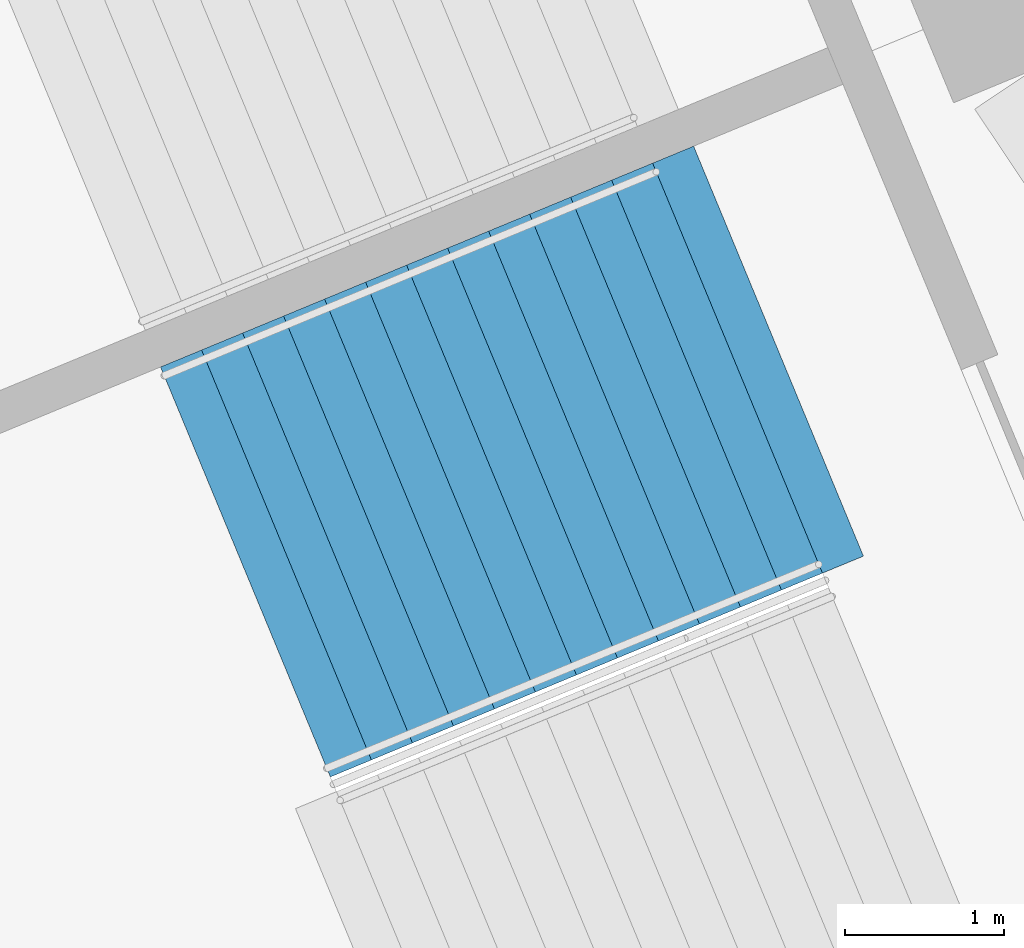
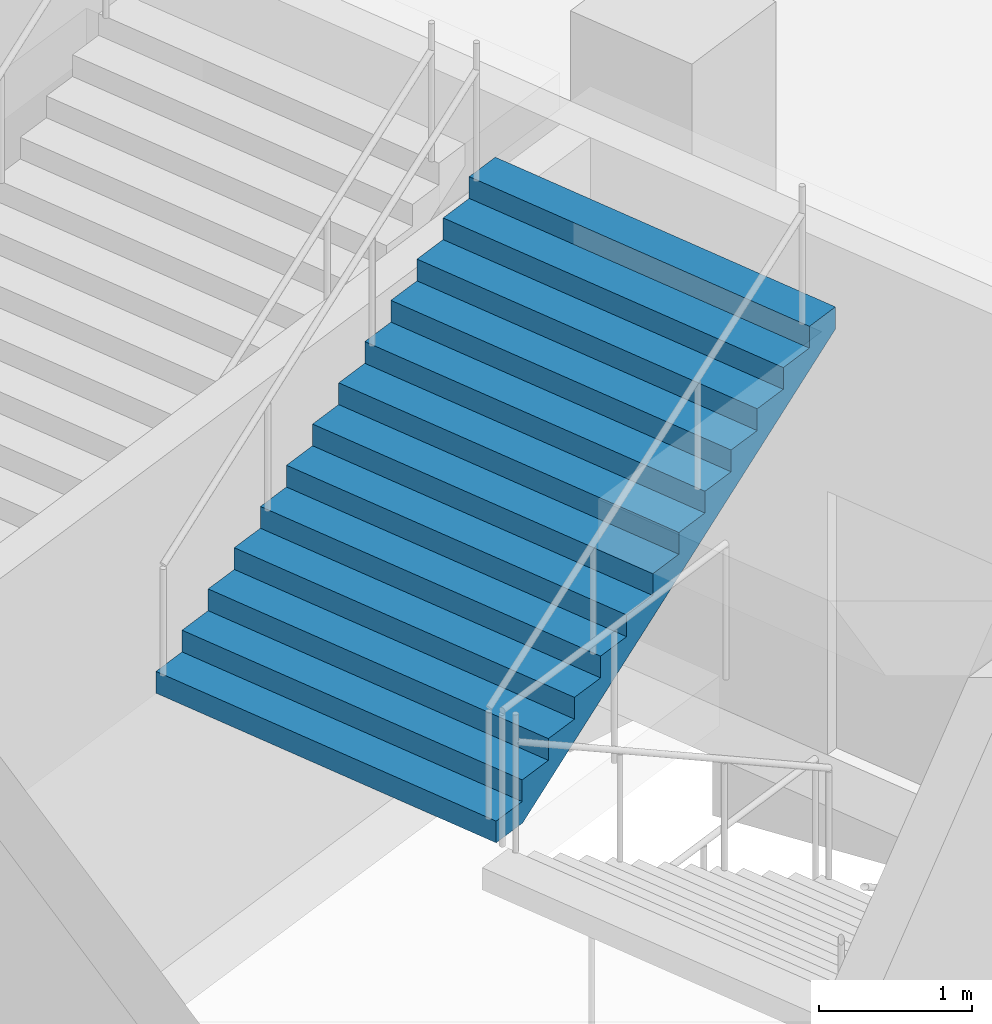
# One storey, part 114 of 199: 1 stair flight, 1 element without a shape of its own.
"""IFC4 building model written with IfcOpenShell, lengths in metres."""

from ifc_helpers import new_model, si_unit, direction, frame, origin, place, context, subcontext, project, spatial, faceted_brep, material, type_object, element, aggregate, save


model = new_model("IFC4")

# Units and contexts
model_context = context("Model", 3, precision=1e-05, world=origin(), true_north=direction((0.0, 1.0)))
body_context = subcontext(model_context, "Body", "Model", "MODEL_VIEW")
ifc_project = project(units=[si_unit("LENGTHUNIT", "METRE"), si_unit("AREAUNIT", "SQUARE_METRE"), si_unit("VOLUMEUNIT", "CUBIC_METRE"), si_unit("PLANEANGLEUNIT", "RADIAN"), si_unit("MASSUNIT", "GRAM", prefix="KILO")], contexts=[model_context])

# Site, building, storey
site_placement = place(None, origin())
site = spatial("IfcSite", under=ifc_project, at=site_placement, CompositionType="ELEMENT")
building_placement = place(site_placement, origin())
building = spatial("IfcBuilding", under=site, at=building_placement, Name="Ogive Plaza Stadium", CompositionType="ELEMENT")
storey_placement = place(building_placement, frame((0.0, 0.0, 4.5)))
storey = spatial("IfcBuildingStorey", under=building, at=storey_placement, Name="L01", CompositionType="ELEMENT", Elevation=4.5)

# Stair, stair flight
ifc_material_1 = material(Name="Concrete C40/50", Category="concrete")
stair_type = type_object("IfcStairType", Name="Exit stair", PredefinedType="STRAIGHT_RUN_STAIR", material=ifc_material_1)
stair_placement = place(storey_placement, origin())
stair = element("IfcStair", 1, at=stair_placement, inside=storey, type_object=stair_type, Name="Exit stair ST20B L01 to L02", PredefinedType="STRAIGHT_RUN_STAIR")
ifc_material_2 = material(Name="Concrete C40/50", Category="concrete")
stair_flight_type = type_object("IfcStairFlightType", Name="Exit stair flight", PredefinedType="STRAIGHT", material=ifc_material_2)
stair_flight_placement = place(storey_placement, frame((-75.64697265625, -71.4013671875, 2.25), z_axis=(0.0, 0.0, 1.0), x_axis=(0.923879532511, 0.382683432365, 0.0)))
stair_flight = element("IfcStairFlight", 2, at=stair_flight_placement, type_object=stair_flight_type, Name="ST20B flight 2", NumberOfRisers=13, NumberOfTreads=12, PredefinedType="STRAIGHT", RiserHeight=0.173076923, TreadLength=0.28, context=body_context, shape_type="Brep", body=[
    faceted_brep([(0.28515625, -1.39990234375, 0.0), (3.639892578125, -1.39990234375, 2.07373046875), (3.639892578125, -1.39990234375, 2.25), (3.360107421875, -1.39990234375, 2.25), (3.360107421875, -1.39990234375, 2.076904296875), (3.080078125, -1.39990234375, 2.076904296875), (3.080078125, -1.39990234375, 1.90380859375), (2.800048828125, -1.39990234375, 1.90380859375), (2.800048828125, -1.39990234375, 1.730712890625), (2.52001953125, -1.39990234375, 1.730712890625), (2.52001953125, -1.39990234375, 1.5576171875), (2.239990234375, -1.39990234375, 1.5576171875), (2.239990234375, -1.39990234375, 1.384521484375), (1.9599609375, -1.39990234375, 1.384521484375), (1.9599609375, -1.39990234375, 1.21142578125), (1.679931640625, -1.39990234375, 1.21142578125), (1.679931640625, -1.39990234375, 1.03857421875), (1.39990234375, -1.39990234375, 1.03857421875), (1.39990234375, -1.39990234375, 0.865478515625), (1.1201171875, -1.39990234375, 0.865478515625), (1.1201171875, -1.39990234375, 0.6923828125), (0.840087890625, -1.39990234375, 0.6923828125), (0.840087890625, -1.39990234375, 0.519287109375), (0.56005859375, -1.39990234375, 0.519287109375), (0.56005859375, -1.39990234375, 0.34619140625), (0.280029296875, -1.39990234375, 0.34619140625), (0.280029296875, -1.39990234375, 0.173095703125), (0.0, -1.39990234375, 0.173095703125), (0.0, -1.39990234375, 0.0), (0.0, 1.39990234375, 0.0), (0.0, 1.39990234375, 0.173095703125), (0.280029296875, 1.39990234375, 0.173095703125), (0.280029296875, 1.39990234375, 0.34619140625), (0.56005859375, 1.39990234375, 0.34619140625), (0.56005859375, 1.39990234375, 0.519287109375), (0.840087890625, 1.39990234375, 0.519287109375), (0.840087890625, 1.39990234375, 0.6923828125), (1.1201171875, 1.39990234375, 0.6923828125), (1.1201171875, 1.39990234375, 0.865478515625), (1.39990234375, 1.39990234375, 0.865478515625), (1.39990234375, 1.39990234375, 1.03857421875), (1.679931640625, 1.39990234375, 1.03857421875), (1.679931640625, 1.39990234375, 1.21142578125), (1.9599609375, 1.39990234375, 1.21142578125), (1.9599609375, 1.39990234375, 1.384521484375), (2.239990234375, 1.39990234375, 1.384521484375), (2.239990234375, 1.39990234375, 1.5576171875), (2.52001953125, 1.39990234375, 1.5576171875), (2.52001953125, 1.39990234375, 1.730712890625), (2.800048828125, 1.39990234375, 1.730712890625), (2.800048828125, 1.39990234375, 1.90380859375), (3.080078125, 1.39990234375, 1.90380859375), (3.080078125, 1.39990234375, 2.076904296875), (3.360107421875, 1.39990234375, 2.076904296875), (3.360107421875, 1.39990234375, 2.25), (3.639892578125, 1.39990234375, 2.25), (3.639892578125, 1.39990234375, 2.07373046875), (0.28515625, 1.39990234375, 0.0), (0.28515625, -1.0888671875, 0.0), (3.639892578125, -1.0888671875, 2.07373046875), (0.28515625, -0.77783203125, 0.0), (3.639892578125, -0.77783203125, 2.07373046875), (0.28515625, -0.466796875, 0.0), (3.639892578125, -0.466796875, 2.07373046875), (0.28515625, -0.155517578125, 0.0), (3.639892578125, -0.155517578125, 2.07373046875), (0.28515625, 0.155517578125, 0.0), (3.639892578125, 0.155517578125, 2.07373046875), (0.28515625, 0.466796875, 0.0), (3.639892578125, 0.466796875, 2.07373046875), (0.28515625, 0.77783203125, 0.0), (3.639892578125, 0.77783203125, 2.07373046875), (0.28515625, 1.0888671875, 0.0), (3.639892578125, 1.0888671875, 2.07373046875), (3.639892578125, -1.0888671875, 2.25), (3.639892578125, -0.77783203125, 2.25), (3.639892578125, -0.466796875, 2.25), (3.639892578125, -0.155517578125, 2.25), (3.639892578125, 0.155517578125, 2.25), (3.639892578125, 0.466796875, 2.25), (3.639892578125, 0.77783203125, 2.25), (3.639892578125, 1.0888671875, 2.25), (3.360107421875, -1.0888671875, 2.25), (3.360107421875, -0.77783203125, 2.25), (3.360107421875, -0.466796875, 2.25), (3.360107421875, -0.155517578125, 2.25), (3.360107421875, 0.155517578125, 2.25), (3.360107421875, 0.466796875, 2.25), (3.360107421875, 0.77783203125, 2.25), (3.360107421875, 1.0888671875, 2.25), (3.360107421875, -1.0888671875, 2.076904296875), (3.360107421875, -0.77783203125, 2.076904296875), (3.360107421875, -0.466796875, 2.076904296875), (3.360107421875, -0.155517578125, 2.076904296875), (3.360107421875, 0.155517578125, 2.076904296875), (3.360107421875, 0.466796875, 2.076904296875), (3.360107421875, 0.77783203125, 2.076904296875), (3.360107421875, 1.0888671875, 2.076904296875), (3.080078125, -1.0888671875, 2.076904296875), (3.080078125, -0.77783203125, 2.076904296875), (3.080078125, -0.466796875, 2.076904296875), (3.080078125, -0.155517578125, 2.076904296875), (3.080078125, 0.155517578125, 2.076904296875), (3.080078125, 0.466796875, 2.076904296875), (3.080078125, 0.77783203125, 2.076904296875), (3.080078125, 1.0888671875, 2.076904296875), (3.080078125, -1.0888671875, 1.90380859375), (3.080078125, -0.77783203125, 1.90380859375), (3.080078125, -0.466796875, 1.90380859375), (3.080078125, -0.155517578125, 1.90380859375), (3.080078125, 0.155517578125, 1.90380859375), (3.080078125, 0.466796875, 1.90380859375), (3.080078125, 0.77783203125, 1.90380859375), (3.080078125, 1.0888671875, 1.90380859375), (2.800048828125, -1.0888671875, 1.90380859375), (2.800048828125, -0.77783203125, 1.90380859375), (2.800048828125, -0.466796875, 1.90380859375), (2.800048828125, -0.155517578125, 1.90380859375), (2.800048828125, 0.155517578125, 1.90380859375), (2.800048828125, 0.466796875, 1.90380859375), (2.800048828125, 0.77783203125, 1.90380859375), (2.800048828125, 1.0888671875, 1.90380859375), (2.800048828125, -1.0888671875, 1.730712890625), (2.800048828125, -0.77783203125, 1.730712890625), (2.800048828125, -0.466796875, 1.730712890625), (2.800048828125, -0.155517578125, 1.730712890625), (2.800048828125, 0.155517578125, 1.730712890625), (2.800048828125, 0.466796875, 1.730712890625), (2.800048828125, 0.77783203125, 1.730712890625), (2.800048828125, 1.0888671875, 1.730712890625), (2.52001953125, -1.0888671875, 1.730712890625), (2.52001953125, -0.77783203125, 1.730712890625), (2.52001953125, -0.466796875, 1.730712890625), (2.52001953125, -0.155517578125, 1.730712890625), (2.52001953125, 0.155517578125, 1.730712890625), (2.52001953125, 0.466796875, 1.730712890625), (2.52001953125, 0.77783203125, 1.730712890625), (2.52001953125, 1.0888671875, 1.730712890625), (2.52001953125, -1.0888671875, 1.5576171875), (2.52001953125, -0.77783203125, 1.5576171875), (2.52001953125, -0.466796875, 1.5576171875), (2.52001953125, -0.155517578125, 1.5576171875), (2.52001953125, 0.155517578125, 1.5576171875), (2.52001953125, 0.466796875, 1.5576171875), (2.52001953125, 0.77783203125, 1.5576171875), (2.52001953125, 1.0888671875, 1.5576171875), (2.239990234375, -1.0888671875, 1.5576171875), (2.239990234375, -0.77783203125, 1.5576171875), (2.239990234375, -0.466796875, 1.5576171875), (2.239990234375, -0.155517578125, 1.5576171875), (2.239990234375, 0.155517578125, 1.5576171875), (2.239990234375, 0.466796875, 1.5576171875), (2.239990234375, 0.77783203125, 1.5576171875), (2.239990234375, 1.0888671875, 1.5576171875), (2.239990234375, -1.0888671875, 1.384521484375), (2.239990234375, -0.77783203125, 1.384521484375), (2.239990234375, -0.466796875, 1.384521484375), (2.239990234375, -0.155517578125, 1.384521484375), (2.239990234375, 0.155517578125, 1.384521484375), (2.239990234375, 0.466796875, 1.384521484375), (2.239990234375, 0.77783203125, 1.384521484375), (2.239990234375, 1.0888671875, 1.384521484375), (1.9599609375, -1.0888671875, 1.384521484375), (1.9599609375, -0.77783203125, 1.384521484375), (1.9599609375, -0.466796875, 1.384521484375), (1.9599609375, -0.155517578125, 1.384521484375), (1.9599609375, 0.155517578125, 1.384521484375), (1.9599609375, 0.466796875, 1.384521484375), (1.9599609375, 0.77783203125, 1.384521484375), (1.9599609375, 1.0888671875, 1.384521484375), (1.9599609375, -1.0888671875, 1.21142578125), (1.9599609375, -0.77783203125, 1.21142578125), (1.9599609375, -0.466796875, 1.21142578125), (1.9599609375, -0.155517578125, 1.21142578125), (1.9599609375, 0.155517578125, 1.21142578125), (1.9599609375, 0.466796875, 1.21142578125), (1.9599609375, 0.77783203125, 1.21142578125), (1.9599609375, 1.0888671875, 1.21142578125), (1.679931640625, -1.0888671875, 1.21142578125), (1.679931640625, -0.77783203125, 1.21142578125), (1.679931640625, -0.466796875, 1.21142578125), (1.679931640625, -0.155517578125, 1.21142578125), (1.679931640625, 0.155517578125, 1.21142578125), (1.679931640625, 0.466796875, 1.21142578125), (1.679931640625, 0.77783203125, 1.21142578125), (1.679931640625, 1.0888671875, 1.21142578125), (1.679931640625, -1.0888671875, 1.03857421875), (1.679931640625, -0.77783203125, 1.03857421875), (1.679931640625, -0.466796875, 1.03857421875), (1.679931640625, -0.155517578125, 1.03857421875), (1.679931640625, 0.155517578125, 1.03857421875), (1.679931640625, 0.466796875, 1.03857421875), (1.679931640625, 0.77783203125, 1.03857421875), (1.679931640625, 1.0888671875, 1.03857421875), (1.39990234375, -1.0888671875, 1.03857421875), (1.39990234375, -0.77783203125, 1.03857421875), (1.39990234375, -0.466796875, 1.03857421875), (1.39990234375, -0.155517578125, 1.03857421875), (1.39990234375, 0.155517578125, 1.03857421875), (1.39990234375, 0.466796875, 1.03857421875), (1.39990234375, 0.77783203125, 1.03857421875), (1.39990234375, 1.0888671875, 1.03857421875), (1.39990234375, -1.0888671875, 0.865478515625), (1.39990234375, -0.77783203125, 0.865478515625), (1.39990234375, -0.466796875, 0.865478515625), (1.39990234375, -0.155517578125, 0.865478515625), (1.39990234375, 0.155517578125, 0.865478515625), (1.39990234375, 0.466796875, 0.865478515625), (1.39990234375, 0.77783203125, 0.865478515625), (1.39990234375, 1.0888671875, 0.865478515625), (1.1201171875, -1.0888671875, 0.865478515625), (1.1201171875, -0.77783203125, 0.865478515625), (1.1201171875, -0.466796875, 0.865478515625), (1.1201171875, -0.155517578125, 0.865478515625), (1.1201171875, 0.155517578125, 0.865478515625), (1.1201171875, 0.466796875, 0.865478515625), (1.1201171875, 0.77783203125, 0.865478515625), (1.1201171875, 1.0888671875, 0.865478515625), (1.1201171875, -1.0888671875, 0.6923828125), (1.1201171875, -0.77783203125, 0.6923828125), (1.1201171875, -0.466796875, 0.6923828125), (1.1201171875, -0.155517578125, 0.6923828125), (1.1201171875, 0.155517578125, 0.6923828125), (1.1201171875, 0.466796875, 0.6923828125), (1.1201171875, 0.77783203125, 0.6923828125), (1.1201171875, 1.0888671875, 0.6923828125), (0.840087890625, -1.0888671875, 0.6923828125), (0.840087890625, -0.77783203125, 0.6923828125), (0.840087890625, -0.466796875, 0.6923828125), (0.840087890625, -0.155517578125, 0.6923828125), (0.840087890625, 0.155517578125, 0.6923828125), (0.840087890625, 0.466796875, 0.6923828125), (0.840087890625, 0.77783203125, 0.6923828125), (0.840087890625, 1.0888671875, 0.6923828125), (0.840087890625, -1.0888671875, 0.519287109375), (0.840087890625, -0.77783203125, 0.519287109375), (0.840087890625, -0.466796875, 0.519287109375), (0.840087890625, -0.155517578125, 0.519287109375), (0.840087890625, 0.155517578125, 0.519287109375), (0.840087890625, 0.466796875, 0.519287109375), (0.840087890625, 0.77783203125, 0.519287109375), (0.840087890625, 1.0888671875, 0.519287109375), (0.56005859375, -1.0888671875, 0.519287109375), (0.56005859375, -0.77783203125, 0.519287109375), (0.56005859375, -0.466796875, 0.519287109375), (0.56005859375, -0.155517578125, 0.519287109375), (0.56005859375, 0.155517578125, 0.519287109375), (0.56005859375, 0.466796875, 0.519287109375), (0.56005859375, 0.77783203125, 0.519287109375), (0.56005859375, 1.0888671875, 0.519287109375), (0.56005859375, -1.0888671875, 0.34619140625), (0.56005859375, -0.77783203125, 0.34619140625), (0.56005859375, -0.466796875, 0.34619140625), (0.56005859375, -0.155517578125, 0.34619140625), (0.56005859375, 0.155517578125, 0.34619140625), (0.56005859375, 0.466796875, 0.34619140625), (0.56005859375, 0.77783203125, 0.34619140625), (0.56005859375, 1.0888671875, 0.34619140625), (0.280029296875, -1.0888671875, 0.34619140625), (0.280029296875, -0.77783203125, 0.34619140625), (0.280029296875, -0.466796875, 0.34619140625), (0.280029296875, -0.155517578125, 0.34619140625), (0.280029296875, 0.155517578125, 0.34619140625), (0.280029296875, 0.466796875, 0.34619140625), (0.280029296875, 0.77783203125, 0.34619140625), (0.280029296875, 1.0888671875, 0.34619140625), (0.280029296875, -1.0888671875, 0.173095703125), (0.280029296875, -0.77783203125, 0.173095703125), (0.280029296875, -0.466796875, 0.173095703125), (0.280029296875, -0.155517578125, 0.173095703125), (0.280029296875, 0.155517578125, 0.173095703125), (0.280029296875, 0.466796875, 0.173095703125), (0.280029296875, 0.77783203125, 0.173095703125), (0.280029296875, 1.0888671875, 0.173095703125), (0.0, -1.0888671875, 0.173095703125), (0.0, -0.77783203125, 0.173095703125), (0.0, -0.466796875, 0.173095703125), (0.0, -0.155517578125, 0.173095703125), (0.0, 0.155517578125, 0.173095703125), (0.0, 0.466796875, 0.173095703125), (0.0, 0.77783203125, 0.173095703125), (0.0, 1.0888671875, 0.173095703125), (0.0, -1.0888671875, 0.0), (0.0, -0.77783203125, 0.0), (0.0, -0.466796875, 0.0), (0.0, -0.155517578125, 0.0), (0.0, 0.155517578125, 0.0), (0.0, 0.466796875, 0.0), (0.0, 0.77783203125, 0.0), (0.0, 1.0888671875, 0.0)], [[[0, 1, 2, 3, 4, 5, 6, 7, 8, 9, 10, 11, 12, 13, 14, 15, 16, 17, 18, 19, 20, 21, 22, 23, 24, 25, 26, 27, 28]], [[29, 30, 31, 32, 33, 34, 35, 36, 37, 38, 39, 40, 41, 42, 43, 44, 45, 46, 47, 48, 49, 50, 51, 52, 53, 54, 55, 56, 57]], [[0, 58, 59, 1]], [[58, 60, 61, 59]], [[60, 62, 63, 61]], [[62, 64, 65, 63]], [[64, 66, 67, 65]], [[66, 68, 69, 67]], [[68, 70, 71, 69]], [[70, 72, 73, 71]], [[72, 57, 56, 73]], [[1, 59, 74, 2]], [[59, 61, 75, 74]], [[61, 63, 76, 75]], [[63, 65, 77, 76]], [[65, 67, 78, 77]], [[67, 69, 79, 78]], [[69, 71, 80, 79]], [[71, 73, 81, 80]], [[73, 56, 55, 81]], [[2, 74, 82, 3]], [[74, 75, 83, 82]], [[75, 76, 84, 83]], [[76, 77, 85, 84]], [[77, 78, 86, 85]], [[78, 79, 87, 86]], [[79, 80, 88, 87]], [[80, 81, 89, 88]], [[81, 55, 54, 89]], [[3, 82, 90, 4]], [[82, 83, 91, 90]], [[83, 84, 92, 91]], [[84, 85, 93, 92]], [[85, 86, 94, 93]], [[86, 87, 95, 94]], [[87, 88, 96, 95]], [[88, 89, 97, 96]], [[89, 54, 53, 97]], [[4, 90, 98, 5]], [[90, 91, 99, 98]], [[91, 92, 100, 99]], [[92, 93, 101, 100]], [[93, 94, 102, 101]], [[94, 95, 103, 102]], [[95, 96, 104, 103]], [[96, 97, 105, 104]], [[97, 53, 52, 105]], [[5, 98, 106, 6]], [[98, 99, 107, 106]], [[99, 100, 108, 107]], [[100, 101, 109, 108]], [[101, 102, 110, 109]], [[102, 103, 111, 110]], [[103, 104, 112, 111]], [[104, 105, 113, 112]], [[105, 52, 51, 113]], [[6, 106, 114, 7]], [[106, 107, 115, 114]], [[107, 108, 116, 115]], [[108, 109, 117, 116]], [[109, 110, 118, 117]], [[110, 111, 119, 118]], [[111, 112, 120, 119]], [[112, 113, 121, 120]], [[113, 51, 50, 121]], [[7, 114, 122, 8]], [[114, 115, 123, 122]], [[115, 116, 124, 123]], [[116, 117, 125, 124]], [[117, 118, 126, 125]], [[118, 119, 127, 126]], [[119, 120, 128, 127]], [[120, 121, 129, 128]], [[121, 50, 49, 129]], [[8, 122, 130, 9]], [[122, 123, 131, 130]], [[123, 124, 132, 131]], [[124, 125, 133, 132]], [[125, 126, 134, 133]], [[126, 127, 135, 134]], [[127, 128, 136, 135]], [[128, 129, 137, 136]], [[129, 49, 48, 137]], [[9, 130, 138, 10]], [[130, 131, 139, 138]], [[131, 132, 140, 139]], [[132, 133, 141, 140]], [[133, 134, 142, 141]], [[134, 135, 143, 142]], [[135, 136, 144, 143]], [[136, 137, 145, 144]], [[137, 48, 47, 145]], [[10, 138, 146, 11]], [[138, 139, 147, 146]], [[139, 140, 148, 147]], [[140, 141, 149, 148]], [[141, 142, 150, 149]], [[142, 143, 151, 150]], [[143, 144, 152, 151]], [[144, 145, 153, 152]], [[145, 47, 46, 153]], [[11, 146, 154, 12]], [[146, 147, 155, 154]], [[147, 148, 156, 155]], [[148, 149, 157, 156]], [[149, 150, 158, 157]], [[150, 151, 159, 158]], [[151, 152, 160, 159]], [[152, 153, 161, 160]], [[153, 46, 45, 161]], [[12, 154, 162, 13]], [[154, 155, 163, 162]], [[155, 156, 164, 163]], [[156, 157, 165, 164]], [[157, 158, 166, 165]], [[158, 159, 167, 166]], [[159, 160, 168, 167]], [[160, 161, 169, 168]], [[161, 45, 44, 169]], [[13, 162, 170, 14]], [[162, 163, 171, 170]], [[163, 164, 172, 171]], [[164, 165, 173, 172]], [[165, 166, 174, 173]], [[166, 167, 175, 174]], [[167, 168, 176, 175]], [[168, 169, 177, 176]], [[169, 44, 43, 177]], [[14, 170, 178, 15]], [[170, 171, 179, 178]], [[171, 172, 180, 179]], [[172, 173, 181, 180]], [[173, 174, 182, 181]], [[174, 175, 183, 182]], [[175, 176, 184, 183]], [[176, 177, 185, 184]], [[177, 43, 42, 185]], [[15, 178, 186, 16]], [[178, 179, 187, 186]], [[179, 180, 188, 187]], [[180, 181, 189, 188]], [[181, 182, 190, 189]], [[182, 183, 191, 190]], [[183, 184, 192, 191]], [[184, 185, 193, 192]], [[185, 42, 41, 193]], [[16, 186, 194, 17]], [[186, 187, 195, 194]], [[187, 188, 196, 195]], [[188, 189, 197, 196]], [[189, 190, 198, 197]], [[190, 191, 199, 198]], [[191, 192, 200, 199]], [[192, 193, 201, 200]], [[193, 41, 40, 201]], [[17, 194, 202, 18]], [[194, 195, 203, 202]], [[195, 196, 204, 203]], [[196, 197, 205, 204]], [[197, 198, 206, 205]], [[198, 199, 207, 206]], [[199, 200, 208, 207]], [[200, 201, 209, 208]], [[201, 40, 39, 209]], [[18, 202, 210, 19]], [[202, 203, 211, 210]], [[203, 204, 212, 211]], [[204, 205, 213, 212]], [[205, 206, 214, 213]], [[206, 207, 215, 214]], [[207, 208, 216, 215]], [[208, 209, 217, 216]], [[209, 39, 38, 217]], [[19, 210, 218, 20]], [[210, 211, 219, 218]], [[211, 212, 220, 219]], [[212, 213, 221, 220]], [[213, 214, 222, 221]], [[214, 215, 223, 222]], [[215, 216, 224, 223]], [[216, 217, 225, 224]], [[217, 38, 37, 225]], [[20, 218, 226, 21]], [[218, 219, 227, 226]], [[219, 220, 228, 227]], [[220, 221, 229, 228]], [[221, 222, 230, 229]], [[222, 223, 231, 230]], [[223, 224, 232, 231]], [[224, 225, 233, 232]], [[225, 37, 36, 233]], [[21, 226, 234, 22]], [[226, 227, 235, 234]], [[227, 228, 236, 235]], [[228, 229, 237, 236]], [[229, 230, 238, 237]], [[230, 231, 239, 238]], [[231, 232, 240, 239]], [[232, 233, 241, 240]], [[233, 36, 35, 241]], [[22, 234, 242, 23]], [[234, 235, 243, 242]], [[235, 236, 244, 243]], [[236, 237, 245, 244]], [[237, 238, 246, 245]], [[238, 239, 247, 246]], [[239, 240, 248, 247]], [[240, 241, 249, 248]], [[241, 35, 34, 249]], [[23, 242, 250, 24]], [[242, 243, 251, 250]], [[243, 244, 252, 251]], [[244, 245, 253, 252]], [[245, 246, 254, 253]], [[246, 247, 255, 254]], [[247, 248, 256, 255]], [[248, 249, 257, 256]], [[249, 34, 33, 257]], [[24, 250, 258, 25]], [[250, 251, 259, 258]], [[251, 252, 260, 259]], [[252, 253, 261, 260]], [[253, 254, 262, 261]], [[254, 255, 263, 262]], [[255, 256, 264, 263]], [[256, 257, 265, 264]], [[257, 33, 32, 265]], [[25, 258, 266, 26]], [[258, 259, 267, 266]], [[259, 260, 268, 267]], [[260, 261, 269, 268]], [[261, 262, 270, 269]], [[262, 263, 271, 270]], [[263, 264, 272, 271]], [[264, 265, 273, 272]], [[265, 32, 31, 273]], [[26, 266, 274, 27]], [[266, 267, 275, 274]], [[267, 268, 276, 275]], [[268, 269, 277, 276]], [[269, 270, 278, 277]], [[270, 271, 279, 278]], [[271, 272, 280, 279]], [[272, 273, 281, 280]], [[273, 31, 30, 281]], [[27, 274, 282, 28]], [[274, 275, 283, 282]], [[275, 276, 284, 283]], [[276, 277, 285, 284]], [[277, 278, 286, 285]], [[278, 279, 287, 286]], [[279, 280, 288, 287]], [[280, 281, 289, 288]], [[281, 30, 29, 289]], [[28, 282, 58, 0]], [[282, 283, 60, 58]], [[283, 284, 62, 60]], [[284, 285, 64, 62]], [[285, 286, 66, 64]], [[286, 287, 68, 66]], [[287, 288, 70, 68]], [[288, 289, 72, 70]], [[289, 29, 57, 72]]]),
])
aggregate(stair, [stair_flight])

save(model, "model.ifc")
